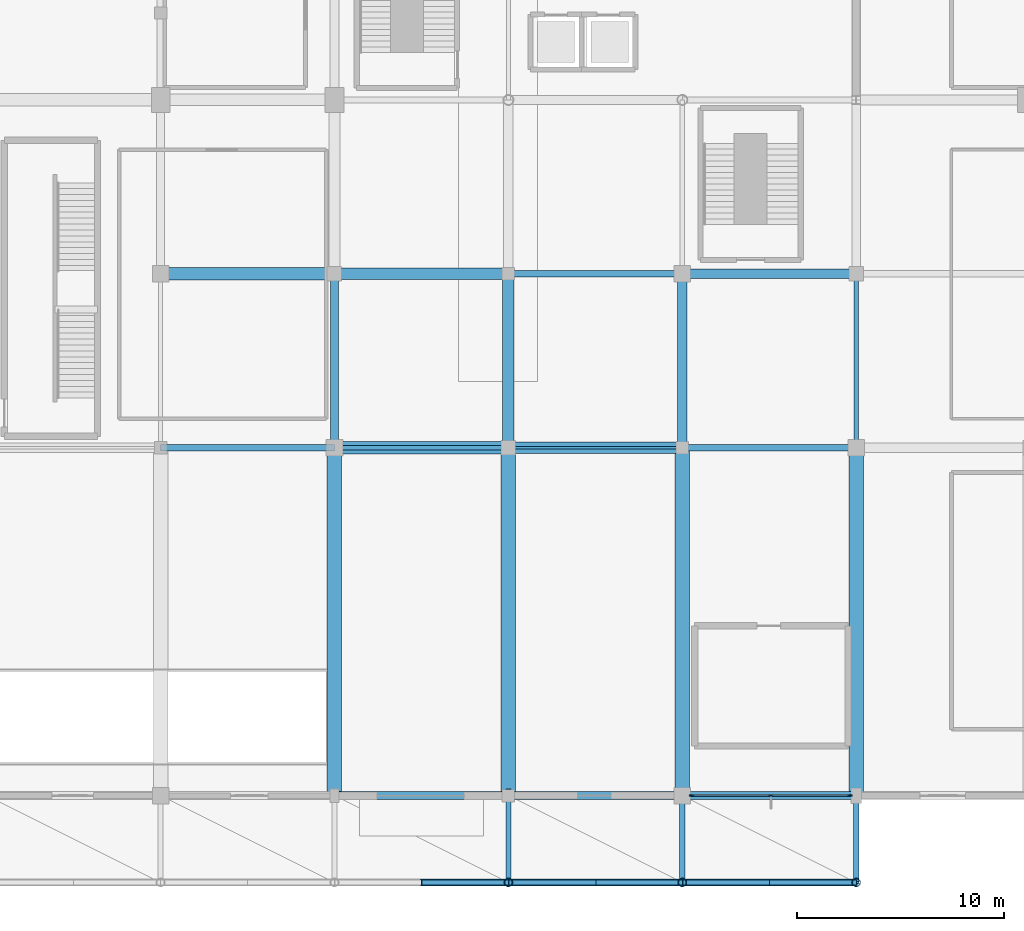
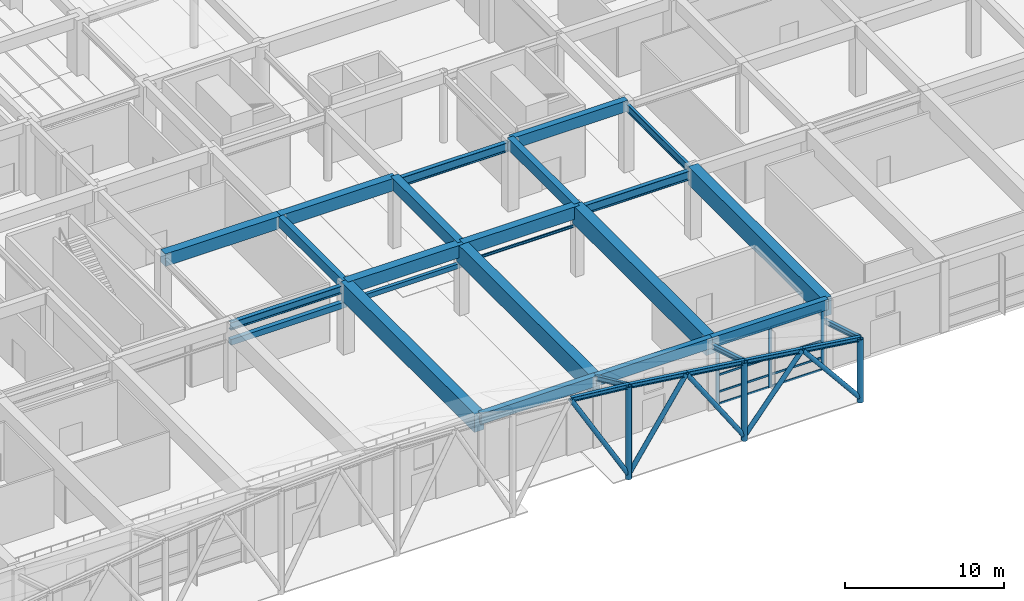
# One storey, part 16 of 62: 27 members, 22 beams, 1 element without a shape of its own.
"""IFC4 building model written with IfcOpenShell, lengths in metres."""

from ifc_helpers import new_model, si_unit, direction, frame, origin, origin_2d, place, context, subcontext, project, spatial, rectangle, hollow_circle, i_section, extrude, material, material_profile, profile_set, type_object, element, aggregate, save


model = new_model("IFC4")

# Units and contexts
model_context = context("Model", 3, precision=1e-05, world=origin(), true_north=direction((0.0, 1.0)))
body_context = subcontext(model_context, "Body", "Model", "MODEL_VIEW")
ifc_project = project(units=[si_unit("LENGTHUNIT", "METRE"), si_unit("AREAUNIT", "SQUARE_METRE"), si_unit("VOLUMEUNIT", "CUBIC_METRE"), si_unit("PLANEANGLEUNIT", "RADIAN"), si_unit("MASSUNIT", "GRAM", prefix="KILO")], contexts=[model_context])

# Site, building, storey
site_placement = place(None, origin())
site = spatial("IfcSite", under=ifc_project, at=site_placement, CompositionType="ELEMENT")
building_placement = place(site_placement, origin())
building = spatial("IfcBuilding", under=site, at=building_placement, Name="Xuanlan Plaza Opera House", CompositionType="ELEMENT")
storey_placement = place(building_placement, origin())
storey = spatial("IfcBuildingStorey", under=building, at=storey_placement, Name="L00", CompositionType="ELEMENT", Elevation=0.0)

# Curtain wall, members
ifc_material_1 = material(Name="Anodised Aluminium 6063-T6 and Low-E Glass", Category="aluminium")
curtain_wall_type = type_object("IfcCurtainWallType", Name="ENV-CW-CW-06", PredefinedType="USERDEFINED", material=ifc_material_1)
curtain_wall_placement = place(storey_placement, origin())
curtain_wall = element("IfcCurtainWall", 1, at=curtain_wall_placement, inside=storey, type_object=curtain_wall_type, Name="Acoustic Glazed Wall L00-013", ObjectType="ACOUSTIC GLAZED WALL", PredefinedType="USERDEFINED")
ifc_material_2 = material(Name="Anodised Aluminium 6063-T6", Category="aluminium")
ifc_material_profile_1 = material_profile(ifc_material_2, rectangle(XDim=0.090087890625, YDim=0.25, at=origin_2d()), Name="ALU-M 90x250")
ifc_profile_set_1 = profile_set([ifc_material_profile_1], Name="Anodised Aluminium 6063-T6")
member_type_1 = type_object("IfcMemberType", Name="ENV-CWM-05", PredefinedType="MULLION", material=ifc_profile_set_1)
member_1_placement = place(storey_placement, frame((118.06494140625, 0.0, 0.0), z_axis=(0.0, 0.0, 1.0), x_axis=(0.0, 1.0, 0.0)))
member_1 = element("IfcMember", 2, at=member_1_placement, type_object=member_type_1, Name="CW-06 mullion 1", PredefinedType="MULLION", context=body_context, shape_type="SweptSolid", body=[
    extrude(rectangle(XDim=0.090087890625, YDim=0.25, at=origin_2d()), origin(), (0.0, 0.0, 1.0), 4.580078125),
])
member_2_placement = place(storey_placement, frame((121.875, 0.0, 0.0), z_axis=(0.0, 0.0, 1.0), x_axis=(0.0, 1.0, 0.0)))
member_2 = element("IfcMember", 3, at=member_2_placement, type_object=member_type_1, Name="CW-06 mullion 2", PredefinedType="MULLION", context=body_context, shape_type="SweptSolid", body=[
    extrude(rectangle(XDim=0.090087890625, YDim=0.25, at=origin_2d()), origin(), (0.0, 0.0, 1.0), 4.580078125),
])
member_3_placement = place(storey_placement, frame((125.68505859375, 0.0, 0.0), z_axis=(0.0, 0.0, 1.0), x_axis=(0.0, 1.0, 0.0)))
member_3 = element("IfcMember", 4, at=member_3_placement, type_object=member_type_1, Name="CW-06 mullion 3", PredefinedType="MULLION", context=body_context, shape_type="SweptSolid", body=[
    extrude(rectangle(XDim=0.090087890625, YDim=0.25, at=origin_2d()), origin(), (0.0, 0.0, 1.0), 4.580078125),
])
ifc_material_profile_2 = material_profile(ifc_material_2, rectangle(XDim=0.074951171875, YDim=0.14990234375, at=origin_2d()), Name="ALU-T 75x150")
ifc_profile_set_2 = profile_set([ifc_material_profile_2], Name="Anodised Aluminium 6063-T6")
member_type_2 = type_object("IfcMemberType", Name="ENV-CWT-03", PredefinedType="USERDEFINED", material=ifc_profile_set_2)
member_4_placement = place(storey_placement, frame((118.110107421875, 0.0, 0.03759765625), z_axis=(1.0, 0.0, 0.0), x_axis=(0.0, 1.0, 0.0)))
member_4 = element("IfcMember", 5, at=member_4_placement, type_object=member_type_2, Name="CW-06 transom 1.1", ObjectType="TRANSOM", PredefinedType="USERDEFINED", context=body_context, shape_type="SweptSolid", body=[
    extrude(rectangle(XDim=0.074951171875, YDim=0.14990234375, at=origin_2d()), origin(), (0.0, 0.0, 1.0), 3.719970703125),
])
member_5_placement = place(storey_placement, frame((118.110107421875, 0.0, 0.949951171875), z_axis=(1.0, 0.0, 0.0), x_axis=(0.0, 1.0, 0.0)))
member_5 = element("IfcMember", 6, at=member_5_placement, type_object=member_type_2, Name="CW-06 transom 1.2", ObjectType="TRANSOM", PredefinedType="USERDEFINED", context=body_context, shape_type="SweptSolid", body=[
    extrude(rectangle(XDim=0.074951171875, YDim=0.14990234375, at=origin_2d()), origin(), (0.0, 0.0, 1.0), 3.719970703125),
])
member_6_placement = place(storey_placement, frame((118.110107421875, 0.0, 2.25), z_axis=(1.0, 0.0, 0.0), x_axis=(0.0, 1.0, 0.0)))
member_6 = element("IfcMember", 7, at=member_6_placement, type_object=member_type_2, Name="CW-06 transom 1.3", ObjectType="TRANSOM", PredefinedType="USERDEFINED", context=body_context, shape_type="SweptSolid", body=[
    extrude(rectangle(XDim=0.074951171875, YDim=0.14990234375, at=origin_2d()), origin(), (0.0, 0.0, 1.0), 3.719970703125),
])
member_7_placement = place(storey_placement, frame((118.110107421875, 0.0, 4.54248046875), z_axis=(1.0, 0.0, 0.0), x_axis=(0.0, 1.0, 0.0)))
member_7 = element("IfcMember", 8, at=member_7_placement, type_object=member_type_2, Name="CW-06 transom 1.4", ObjectType="TRANSOM", PredefinedType="USERDEFINED", context=body_context, shape_type="SweptSolid", body=[
    extrude(rectangle(XDim=0.074951171875, YDim=0.14990234375, at=origin_2d()), origin(), (0.0, 0.0, 1.0), 3.719970703125),
])
member_8_placement = place(storey_placement, frame((121.919921875, 0.0, 0.03759765625), z_axis=(1.0, 0.0, 0.0), x_axis=(0.0, 1.0, 0.0)))
member_8 = element("IfcMember", 9, at=member_8_placement, type_object=member_type_2, Name="CW-06 transom 2.1", ObjectType="TRANSOM", PredefinedType="USERDEFINED", context=body_context, shape_type="SweptSolid", body=[
    extrude(rectangle(XDim=0.074951171875, YDim=0.14990234375, at=origin_2d()), origin(), (0.0, 0.0, 1.0), 3.719970703125),
])
member_9_placement = place(storey_placement, frame((121.919921875, 0.0, 0.949951171875), z_axis=(1.0, 0.0, 0.0), x_axis=(0.0, 1.0, 0.0)))
member_9 = element("IfcMember", 10, at=member_9_placement, type_object=member_type_2, Name="CW-06 transom 2.2", ObjectType="TRANSOM", PredefinedType="USERDEFINED", context=body_context, shape_type="SweptSolid", body=[
    extrude(rectangle(XDim=0.074951171875, YDim=0.14990234375, at=origin_2d()), origin(), (0.0, 0.0, 1.0), 3.719970703125),
])
member_10_placement = place(storey_placement, frame((121.919921875, 0.0, 2.25), z_axis=(1.0, 0.0, 0.0), x_axis=(0.0, 1.0, 0.0)))
member_10 = element("IfcMember", 11, at=member_10_placement, type_object=member_type_2, Name="CW-06 transom 2.3", ObjectType="TRANSOM", PredefinedType="USERDEFINED", context=body_context, shape_type="SweptSolid", body=[
    extrude(rectangle(XDim=0.074951171875, YDim=0.14990234375, at=origin_2d()), origin(), (0.0, 0.0, 1.0), 3.719970703125),
])
member_11_placement = place(storey_placement, frame((121.919921875, 0.0, 4.54248046875), z_axis=(1.0, 0.0, 0.0), x_axis=(0.0, 1.0, 0.0)))
member_11 = element("IfcMember", 12, at=member_11_placement, type_object=member_type_2, Name="CW-06 transom 2.4", ObjectType="TRANSOM", PredefinedType="USERDEFINED", context=body_context, shape_type="SweptSolid", body=[
    extrude(rectangle(XDim=0.074951171875, YDim=0.14990234375, at=origin_2d()), origin(), (0.0, 0.0, 1.0), 3.719970703125),
])
aggregate(curtain_wall, [member_1, member_2, member_3, member_4, member_5, member_6, member_7, member_8, member_9, member_10, member_11])

# Beams
ifc_material_3 = material(Name="Concrete C50", Category="concrete")
ifc_material_profile_3 = material_profile(ifc_material_3, rectangle(XDim=0.60009765625, YDim=0.949951171875, at=origin_2d()), Name="RC-BM 600x950")
ifc_profile_set_3 = profile_set([ifc_material_profile_3], Name="Concrete C50")
beam_type_1 = type_object("IfcBeamType", Name="STR-BM-B-01", PredefinedType="BEAM", material=ifc_profile_set_3)
beam_1_placement = place(storey_placement, frame((100.800048828125, 16.800048828125, 4.925048828125), z_axis=(1.0, 0.0, 0.0), x_axis=(0.0, 1.0, 0.0)))
element("IfcBeam", 13, at=beam_1_placement, inside=storey, type_object=beam_type_1, Name="Grid Beam X L00 13-14/C", PredefinedType="BEAM", context=body_context, shape_type="SweptSolid", body=[
    extrude(rectangle(XDim=0.60009765625, YDim=0.949951171875, at=origin_2d()), origin(), (0.0, 0.0, 1.0), 8.39990234375),
])
beam_2_placement = place(storey_placement, frame((92.39990234375, 25.199951171875, 4.925048828125), z_axis=(1.0, 0.0, 0.0), x_axis=(0.0, 1.0, 0.0)))
element("IfcBeam", 14, at=beam_2_placement, inside=storey, type_object=beam_type_1, Name="Grid Beam X L00 12-13/D", PredefinedType="BEAM", context=body_context, shape_type="SweptSolid", body=[
    extrude(rectangle(XDim=0.60009765625, YDim=0.949951171875, at=origin_2d()), origin(), (0.0, 0.0, 1.0), 8.400146484375),
])
ifc_material_profile_4 = material_profile(ifc_material_3, rectangle(XDim=0.550048828125, YDim=0.949951171875, at=origin_2d()), Name="RC-BM 550x950")
ifc_profile_set_4 = profile_set([ifc_material_profile_4], Name="Concrete C50")
beam_type_2 = type_object("IfcBeamType", Name="STR-BM-B-02", PredefinedType="BEAM", material=ifc_profile_set_4)
beam_3_placement = place(storey_placement, frame((109.199951171875, 16.800048828125, 4.925048828125), z_axis=(1.0, 0.0, 0.0), x_axis=(0.0, 1.0, 0.0)))
element("IfcBeam", 15, at=beam_3_placement, inside=storey, type_object=beam_type_2, Name="Grid Beam X L00 14-15/C", PredefinedType="BEAM", context=body_context, shape_type="SweptSolid", body=[
    extrude(rectangle(XDim=0.550048828125, YDim=0.949951171875, at=origin_2d()), origin(), (0.0, 0.0, 1.0), 8.400146484375),
])
for number, where, z_axis, x_axis, name in (
    (16, (100.800048828125, 25.199951171875, 4.925048828125), (1.0, 0.0, 0.0), (0.0, 1.0, 0.0), "Grid Beam X L00 13-14/D"),
    (17, (109.199951171875, 16.800048828125, 4.925048828125), (0.0, 1.0, 0.0), (-1.0, 0.0, 0.0), "Grid Beam Y L00 14/C-D"),
):
    element("IfcBeam", number, at=place(storey_placement, frame(where, z_axis=z_axis, x_axis=x_axis)), inside=storey, type_object=beam_type_2, Name=name, PredefinedType="BEAM", context=body_context, shape_type="SweptSolid", body=[
        extrude(rectangle(XDim=0.550048828125, YDim=0.949951171875, at=origin_2d()), origin(), (0.0, 0.0, 1.0), 8.39990234375),
    ])
ifc_material_4 = material(Name="Concrete C40", Category="concrete")
ifc_material_profile_5 = material_profile(ifc_material_4, rectangle(XDim=0.449951171875, YDim=0.85009765625, at=origin_2d()), Name="RC-BM 450x850")
ifc_profile_set_5 = profile_set([ifc_material_profile_5], Name="Concrete C40")
beam_type_3 = type_object("IfcBeamType", Name="STR-BM-B-04", PredefinedType="BEAM", material=ifc_profile_set_5)
for number, where, z_axis, x_axis, name in (
    (18, (117.60009765625, 25.199951171875, 4.97509765625), (1.0, 0.0, 0.0), (0.0, 1.0, 0.0), "Grid Beam X L00 15-16/D"),
    (19, (117.60009765625, 16.800048828125, 4.97509765625), (0.0, 1.0, 0.0), (-1.0, 0.0, 0.0), "Grid Beam Y L00 15/C-D"),
):
    element("IfcBeam", number, at=place(storey_placement, frame(where, z_axis=z_axis, x_axis=x_axis)), inside=storey, type_object=beam_type_3, Name=name, PredefinedType="BEAM", context=body_context, shape_type="SweptSolid", body=[
        extrude(rectangle(XDim=0.449951171875, YDim=0.85009765625, at=origin_2d()), origin(), (0.0, 0.0, 1.0), 8.39990234375),
    ])
ifc_material_profile_6 = material_profile(ifc_material_4, rectangle(XDim=0.39990234375, YDim=0.75, at=origin_2d()), Name="RC-BM 400x750")
ifc_profile_set_6 = profile_set([ifc_material_profile_6], Name="Concrete C40")
beam_type_4 = type_object("IfcBeamType", Name="STR-BM-B-06", PredefinedType="BEAM", material=ifc_profile_set_6)
beam_4_placement = place(storey_placement, frame((100.800048828125, 16.800048828125, 5.02490234375), z_axis=(0.0, 1.0, 0.0), x_axis=(-1.0, 0.0, 0.0)))
element("IfcBeam", 20, at=beam_4_placement, inside=storey, type_object=beam_type_4, Name="Grid Beam Y L00 13/C-D", PredefinedType="BEAM", context=body_context, shape_type="SweptSolid", body=[
    extrude(rectangle(XDim=0.39990234375, YDim=0.75, at=origin_2d()), origin(), (0.0, 0.0, 1.0), 8.39990234375),
])
ifc_material_profile_7 = material_profile(ifc_material_3, rectangle(XDim=0.699951171875, YDim=1.39990234375, at=origin_2d()), Name="RC-LG 700x1400")
ifc_profile_set_7 = profile_set([ifc_material_profile_7], Name="Concrete C50")
beam_type_5 = type_object("IfcBeamType", Name="STR-BM-LG-01", PredefinedType="BEAM", material=ifc_profile_set_7)
for number, where, z_axis, x_axis, name in (
    (21, (100.800048828125, 0.0, 4.699951171875), (0.0, 1.0, 0.0), (-1.0, 0.0, 0.0), "Grid Beam Y L00 13/A-C"),
    (22, (109.199951171875, 0.0, 4.699951171875), (0.0, 1.0, 0.0), (-1.0, 0.0, 0.0), "Grid Beam Y L00 14/A-C"),
    (23, (117.60009765625, 0.0, 4.699951171875), (0.0, 1.0, 0.0), (-1.0, 0.0, 0.0), "Grid Beam Y L00 15/A-C"),
    (24, (126.0, 0.0, 4.699951171875), (0.0, 1.0, 0.0), (-1.0, 0.0, 0.0), "Grid Beam Y L00 16/A-C"),
):
    element("IfcBeam", number, at=place(storey_placement, frame(where, z_axis=z_axis, x_axis=x_axis)), inside=storey, type_object=beam_type_5, Name=name, PredefinedType="BEAM", context=body_context, shape_type="SweptSolid", body=[
        extrude(rectangle(XDim=0.699951171875, YDim=1.39990234375, at=origin_2d()), origin(), (0.0, 0.0, 1.0), 16.800048828125),
    ])
ifc_material_profile_8 = material_profile(ifc_material_4, rectangle(XDim=0.239990234375, YDim=0.35009765625, at=origin_2d()), Name="RC-LNT 240x350")
ifc_profile_set_8 = profile_set([ifc_material_profile_8], Name="Concrete C40")
beam_type_6 = type_object("IfcBeamType", Name="STR-BM-LN-02", PredefinedType="LINTEL", material=ifc_profile_set_8)
beam_5_placement = place(storey_placement, frame((100.800048828125, 16.800048828125, 3.675048828125), z_axis=(1.0, 0.0, 0.0), x_axis=(0.0, 1.0, 0.0)))
element("IfcBeam", 25, at=beam_5_placement, inside=storey, type_object=beam_type_6, Name="Backstage Portal Lintel Beam L00-12", PredefinedType="LINTEL", context=body_context, shape_type="SweptSolid", body=[
    extrude(rectangle(XDim=0.239990234375, YDim=0.35009765625, at=origin_2d()), origin(), (0.0, 0.0, 1.0), 8.39990234375),
])
ifc_material_5 = material(Name="Steel Q355B", Category="steel")
ifc_material_profile_9 = material_profile(ifc_material_5, i_section(OverallWidth=0.10009765625, OverallDepth=0.199951171875, WebThickness=0.005615234375, FlangeThickness=0.008056640625, FilletRadius=0.010986328125, at=origin_2d()), Name="HN 200x100x5.5x8")
ifc_profile_set_9 = profile_set([ifc_material_profile_9], Name="Steel Q355B")
beam_type_7 = type_object("IfcBeamType", Name="STR-BM-LN-03", PredefinedType="LINTEL", material=ifc_profile_set_9)
beam_6_placement = place(storey_placement, frame((109.199951171875, 16.800048828125, 3.75), z_axis=(1.0, 0.0, 0.0), x_axis=(0.0, 1.0, 0.0)))
element("IfcBeam", 26, at=beam_6_placement, inside=storey, type_object=beam_type_7, Name="Backstage Portal Lintel Beam L00-13", PredefinedType="LINTEL", context=body_context, shape_type="SweptSolid", body=[
    extrude(i_section(OverallWidth=0.10009765625, OverallDepth=0.199951171875, WebThickness=0.005615234375, FlangeThickness=0.008056640625, FilletRadius=0.010986328125, at=origin_2d()), origin(), (0.0, 0.0, 1.0), 8.400146484375),
])
ifc_material_profile_10 = material_profile(ifc_material_4, rectangle(XDim=0.320068359375, YDim=0.43994140625, at=origin_2d()), Name="RC-LNT 320x440")
ifc_profile_set_10 = profile_set([ifc_material_profile_10], Name="Concrete C40")
beam_type_8 = type_object("IfcBeamType", Name="STR-BM-LN-05", PredefinedType="LINTEL", material=ifc_profile_set_10)
beam_7_placement = place(storey_placement, frame((92.39990234375, 16.800048828125, 3.6298828125), z_axis=(1.0, 0.0, 0.0), x_axis=(0.0, 1.0, 0.0)))
element("IfcBeam", 27, at=beam_7_placement, inside=storey, type_object=beam_type_8, Name="Backstage Portal Lintel Beam L00-11", PredefinedType="LINTEL", context=body_context, shape_type="SweptSolid", body=[
    extrude(rectangle(XDim=0.320068359375, YDim=0.43994140625, at=origin_2d()), origin(), (0.0, 0.0, 1.0), 8.400146484375),
])
ifc_material_profile_11 = material_profile(ifc_material_5, i_section(OverallWidth=0.300048828125, OverallDepth=0.699951171875, WebThickness=0.012939453125, FlangeThickness=0.02392578125, FilletRadius=0.02392578125, at=origin_2d()), Name="HN 700x300x13x24")
ifc_profile_set_11 = profile_set([ifc_material_profile_11], Name="Steel Q355B")
beam_type_9 = type_object("IfcBeamType", Name="STR-BM-SB-03", PredefinedType="BEAM", material=ifc_profile_set_11)
beam_8_placement = place(storey_placement, frame((117.60009765625, 16.800048828125, 4.784912109375), z_axis=(1.0, 0.0, 0.0), x_axis=(0.0, 1.0, 0.0)))
element("IfcBeam", 28, at=beam_8_placement, inside=storey, type_object=beam_type_9, Name="Grid Beam X L00 15-16/C", PredefinedType="BEAM", context=body_context, shape_type="SweptSolid", body=[
    extrude(i_section(OverallWidth=0.300048828125, OverallDepth=0.699951171875, WebThickness=0.012939453125, FlangeThickness=0.02392578125, FilletRadius=0.02392578125, at=origin_2d()), origin(), (0.0, 0.0, 1.0), 8.39990234375),
])
beam_9_placement = place(storey_placement, frame((109.199951171875, 25.199951171875, 4.784912109375), z_axis=(1.0, 0.0, 0.0), x_axis=(0.0, 1.0, 0.0)))
element("IfcBeam", 29, at=beam_9_placement, inside=storey, type_object=beam_type_9, Name="Grid Beam X L00 14-15/D", PredefinedType="BEAM", context=body_context, shape_type="SweptSolid", body=[
    extrude(i_section(OverallWidth=0.300048828125, OverallDepth=0.699951171875, WebThickness=0.012939453125, FlangeThickness=0.02392578125, FilletRadius=0.02392578125, at=origin_2d()), origin(), (0.0, 0.0, 1.0), 8.400146484375),
])
ifc_material_profile_12 = material_profile(ifc_material_5, i_section(OverallWidth=0.199951171875, OverallDepth=0.60009765625, WebThickness=0.010986328125, FlangeThickness=0.01708984375, FilletRadius=0.02197265625, at=origin_2d()), Name="HN 600x200x11x17")
ifc_profile_set_12 = profile_set([ifc_material_profile_12], Name="Steel Q355B")
beam_type_10 = type_object("IfcBeamType", Name="STR-BM-SB-04", PredefinedType="BEAM", material=ifc_profile_set_12)
beam_10_placement = place(storey_placement, frame((126.0, 16.800048828125, 4.8349609375), z_axis=(0.0, 1.0, 0.0), x_axis=(-1.0, 0.0, 0.0)))
element("IfcBeam", 30, at=beam_10_placement, inside=storey, type_object=beam_type_10, Name="Grid Beam Y L00 16/C-D", PredefinedType="BEAM", context=body_context, shape_type="SweptSolid", body=[
    extrude(i_section(OverallWidth=0.199951171875, OverallDepth=0.60009765625, WebThickness=0.010986328125, FlangeThickness=0.01708984375, FilletRadius=0.02197265625, at=origin_2d()), origin(), (0.0, 0.0, 1.0), 8.39990234375),
])
ifc_material_profile_13 = material_profile(ifc_material_5, i_section(OverallWidth=0.300048828125, OverallDepth=0.587890625, WebThickness=0.011962890625, FlangeThickness=0.02001953125, FilletRadius=0.02392578125, at=origin_2d()), Name="HM 588x300x12x20")
ifc_profile_set_13 = profile_set([ifc_material_profile_13], Name="Steel Q355B")
beam_type_11 = type_object("IfcBeamType", Name="STR-BM-SB-06", PredefinedType="BEAM", material=ifc_profile_set_13)
beam_11_placement = place(storey_placement, frame((92.39990234375, 16.800048828125, 4.841064453125), z_axis=(1.0, 0.0, 0.0), x_axis=(0.0, 1.0, 0.0)))
element("IfcBeam", 31, at=beam_11_placement, inside=storey, type_object=beam_type_11, Name="Grid Beam X L00 12-13/C", PredefinedType="BEAM", context=body_context, shape_type="SweptSolid", body=[
    extrude(i_section(OverallWidth=0.300048828125, OverallDepth=0.587890625, WebThickness=0.011962890625, FlangeThickness=0.02001953125, FilletRadius=0.02392578125, at=origin_2d()), origin(), (0.0, 0.0, 1.0), 8.400146484375),
])
ifc_material_profile_14 = material_profile(ifc_material_4, rectangle(XDim=0.39990234375, YDim=0.800048828125, at=origin_2d()), Name="RC-SPD 400x800")
ifc_profile_set_14 = profile_set([ifc_material_profile_14], Name="Concrete C40")
beam_type_12 = type_object("IfcBeamType", Name="STR-BM-SP-01", PredefinedType="SPANDREL", material=ifc_profile_set_14)
beam_12_placement = place(storey_placement, frame((100.800048828125, 0.0, 5.0), z_axis=(1.0, 0.0, 0.0), x_axis=(0.0, 1.0, 0.0)))
element("IfcBeam", 32, at=beam_12_placement, inside=storey, type_object=beam_type_12, Name="Grid Beam X L00 13-14/A", PredefinedType="SPANDREL", context=body_context, shape_type="SweptSolid", body=[
    extrude(rectangle(XDim=0.39990234375, YDim=0.800048828125, at=origin_2d()), origin(), (0.0, 0.0, 1.0), 8.39990234375),
])
beam_13_placement = place(storey_placement, frame((109.199951171875, 0.0, 5.0), z_axis=(1.0, 0.0, 0.0), x_axis=(0.0, 1.0, 0.0)))
element("IfcBeam", 33, at=beam_13_placement, inside=storey, type_object=beam_type_12, Name="Grid Beam X L00 14-15/A", PredefinedType="SPANDREL", context=body_context, shape_type="SweptSolid", body=[
    extrude(rectangle(XDim=0.39990234375, YDim=0.800048828125, at=origin_2d()), origin(), (0.0, 0.0, 1.0), 8.400146484375),
])
beam_14_placement = place(storey_placement, frame((117.60009765625, 0.0, 5.0), z_axis=(1.0, 0.0, 0.0), x_axis=(0.0, 1.0, 0.0)))
element("IfcBeam", 34, at=beam_14_placement, inside=storey, type_object=beam_type_12, Name="Grid Beam X L00 15-16/A", PredefinedType="SPANDREL", context=body_context, shape_type="SweptSolid", body=[
    extrude(rectangle(XDim=0.39990234375, YDim=0.800048828125, at=origin_2d()), origin(), (0.0, 0.0, 1.0), 8.39990234375),
])

# Members
ifc_material_6 = material(Name="Steel Q390B", Category="steel")
ifc_material_profile_15 = material_profile(ifc_material_6, hollow_circle(Radius=0.203125, WallThickness=0.01611328125, at=origin_2d()), Name="CHS 406.4x16")
ifc_profile_set_15 = profile_set([ifc_material_profile_15], Name="Steel Q390B")
member_type_3 = type_object("IfcMemberType", Name="STR-MEM-BR-01", PredefinedType="BRACE", material=ifc_profile_set_15)
member_12_placement = place(storey_placement, frame((109.199951171875, -4.199951171875, 0.001953125), z_axis=(0.0, 0.0, 1.0), x_axis=(1.0, 0.0, 0.0)))
element("IfcMember", 35, at=member_12_placement, inside=storey, type_object=member_type_3, Name="Plaza Canopy Grounded Steel Pier 14", PredefinedType="BRACE", context=body_context, shape_type="SweptSolid", body=[
    extrude(hollow_circle(Radius=0.203125, WallThickness=0.01611328125, at=origin_2d()), origin(), (0.0, 0.0, 1.0), 7.088134765625),
])
member_13_placement = place(storey_placement, frame((117.60009765625, -4.199951171875, 0.001953125), z_axis=(0.0, 0.0, 1.0), x_axis=(1.0, 0.0, 0.0)))
element("IfcMember", 36, at=member_13_placement, inside=storey, type_object=member_type_3, Name="Plaza Canopy Grounded Steel Pier 15", PredefinedType="BRACE", context=body_context, shape_type="SweptSolid", body=[
    extrude(hollow_circle(Radius=0.203125, WallThickness=0.01611328125, at=origin_2d()), origin(), (0.0, 0.0, 1.0), 5.988037109375),
])
member_14_placement = place(storey_placement, frame((126.0, -4.199951171875, 0.001953125), z_axis=(0.0, 0.0, 1.0), x_axis=(1.0, 0.0, 0.0)))
element("IfcMember", 37, at=member_14_placement, inside=storey, type_object=member_type_3, Name="Plaza Canopy Grounded Steel Pier 16", PredefinedType="BRACE", context=body_context, shape_type="SweptSolid", body=[
    extrude(hollow_circle(Radius=0.203125, WallThickness=0.01611328125, at=origin_2d()), origin(), (0.0, 0.0, 1.0), 4.838134765625),
])
ifc_material_profile_16 = material_profile(ifc_material_5, hollow_circle(Radius=0.161865234375, WallThickness=0.013916015625, at=origin_2d()), Name="CHS 323.9x14")
ifc_profile_set_16 = profile_set([ifc_material_profile_16], Name="Steel Q355B")
member_type_4 = type_object("IfcMemberType", Name="STR-MEM-BR-03", PredefinedType="BRACE", material=ifc_profile_set_16)
member_15_placement = place(storey_placement, frame((109.199951171875, -4.199951171875, 0.280029296875), z_axis=(-0.502051733206, 0.0, 0.864837590062), x_axis=(0.0, -1.0, 0.0)))
element("IfcMember", 38, at=member_15_placement, inside=storey, type_object=member_type_4, Name="Plaza Canopy V-Strut 06R", PredefinedType="BRACE", context=body_context, shape_type="SweptSolid", body=[
    extrude(hollow_circle(Radius=0.161865234375, WallThickness=0.013916015625, at=origin_2d()), origin(), (0.0, 0.0, 1.0), 8.365478515625),
])
member_16_placement = place(storey_placement, frame((109.199951171875, -4.199951171875, 0.280029296875), z_axis=(0.557141724361, 0.0, 0.830417424538), x_axis=(0.0, 1.0, 0.0)))
element("IfcMember", 39, at=member_16_placement, inside=storey, type_object=member_type_4, Name="Plaza Canopy V-Strut 07L", PredefinedType="BRACE", context=body_context, shape_type="SweptSolid", body=[
    extrude(hollow_circle(Radius=0.161865234375, WallThickness=0.013916015625, at=origin_2d()), origin(), (0.0, 0.0, 1.0), 7.538330078125),
])
member_17_placement = place(storey_placement, frame((117.60009765625, -4.199951171875, 0.280029296875), z_axis=(-0.557164057133, 0.0, 0.830402440651), x_axis=(0.0, -1.0, 0.0)))
element("IfcMember", 40, at=member_17_placement, inside=storey, type_object=member_type_4, Name="Plaza Canopy V-Strut 07R", PredefinedType="BRACE", context=body_context, shape_type="SweptSolid", body=[
    extrude(hollow_circle(Radius=0.161865234375, WallThickness=0.013916015625, at=origin_2d()), origin(), (0.0, 0.0, 1.0), 7.53857421875),
])
for number, where, z_axis, x_axis, name in (
    (41, (117.60009765625, -4.199951171875, 0.280029296875), (0.633109520171, 0.0, 0.774062229713), (0.0, 1.0, 0.0), "Plaza Canopy V-Strut 08L"),
    (42, (126.0, -4.199951171875, 0.280029296875), (-0.633109520171, 0.0, 0.774062229713), (0.0, -1.0, 0.0), "Plaza Canopy V-Strut 08R"),
):
    element("IfcMember", number, at=place(storey_placement, frame(where, z_axis=z_axis, x_axis=x_axis)), inside=storey, type_object=member_type_4, Name=name, PredefinedType="BRACE", context=body_context, shape_type="SweptSolid", body=[
        extrude(hollow_circle(Radius=0.161865234375, WallThickness=0.013916015625, at=origin_2d()), origin(), (0.0, 0.0, 1.0), 6.6337890625),
    ])
ifc_material_profile_17 = material_profile(ifc_material_5, i_section(OverallWidth=0.25, OverallDepth=0.340087890625, WebThickness=0.009033203125, FlangeThickness=0.013916015625, FilletRadius=0.01611328125, at=origin_2d()), Name="HM 340x250x9x14")
ifc_profile_set_17 = profile_set([ifc_material_profile_17], Name="Steel Q355B")
member_type_5 = type_object("IfcMemberType", Name="STR-MEM-TC-01", PredefinedType="CHORD", material=ifc_profile_set_17)
member_18_placement = place(storey_placement, frame((109.199951171875, 0.25, 5.050048828125), z_axis=(0.0, -0.909027826294, 0.416735420888), x_axis=(1.0, 0.0, 0.0)))
element("IfcMember", 43, at=member_18_placement, inside=storey, type_object=member_type_5, Name="Plaza Canopy Transverse Arch Rib 14", PredefinedType="CHORD", context=body_context, shape_type="SweptSolid", body=[
    extrude(i_section(OverallWidth=0.25, OverallDepth=0.340087890625, WebThickness=0.009033203125, FlangeThickness=0.013916015625, FilletRadius=0.01611328125, at=origin_2d()), origin(), (0.0, 0.0, 1.0), 4.895263671875),
])
for number, where, z_axis, x_axis, name in (
    (44, (117.60009765625, 0.25, 4.639892578125), (0.0, -0.956927209305, 0.290327945765), (1.0, 0.0, 0.0), "Plaza Canopy Transverse Arch Rib 15"),
    (45, (126.0, 0.25, 3.489990234375), (0.0, -0.956927209305, 0.290327945765), (1.0, 0.0, 0.0), "Plaza Canopy Transverse Arch Rib 16"),
):
    element("IfcMember", number, at=place(storey_placement, frame(where, z_axis=z_axis, x_axis=x_axis)), inside=storey, type_object=member_type_5, Name=name, PredefinedType="CHORD", context=body_context, shape_type="SweptSolid", body=[
        extrude(i_section(OverallWidth=0.25, OverallDepth=0.340087890625, WebThickness=0.009033203125, FlangeThickness=0.013916015625, FilletRadius=0.01611328125, at=origin_2d()), origin(), (0.0, 0.0, 1.0), 4.650146484375),
    ])
member_19_placement = place(storey_placement, frame((105.0, -4.199951171875, 7.514892578125), z_axis=(0.994923745234, 0.0, -0.100631710557), x_axis=(0.0, 1.0, 0.0)))
element("IfcMember", 46, at=member_19_placement, inside=storey, type_object=member_type_5, Name="Plaza Canopy Arched Prow Chord 06B", PredefinedType="CHORD", context=body_context, shape_type="SweptSolid", body=[
    extrude(i_section(OverallWidth=0.25, OverallDepth=0.340087890625, WebThickness=0.009033203125, FlangeThickness=0.013916015625, FilletRadius=0.01611328125, at=origin_2d()), origin(), (0.0, 0.0, 1.0), 4.221435546875),
])
member_20_placement = place(storey_placement, frame((109.199951171875, -4.199951171875, 7.090087890625), z_axis=(0.991532782798, 0.0, -0.129856615686), x_axis=(0.0, 1.0, 0.0)))
element("IfcMember", 47, at=member_20_placement, inside=storey, type_object=member_type_5, Name="Plaza Canopy Arched Prow Chord 07A", PredefinedType="CHORD", context=body_context, shape_type="SweptSolid", body=[
    extrude(i_section(OverallWidth=0.25, OverallDepth=0.340087890625, WebThickness=0.009033203125, FlangeThickness=0.013916015625, FilletRadius=0.01611328125, at=origin_2d()), origin(), (0.0, 0.0, 1.0), 4.23583984375),
])
member_21_placement = place(storey_placement, frame((113.39990234375, -4.199951171875, 6.5400390625), z_axis=(0.991533754636, 0.0, -0.129849194908), x_axis=(0.0, 1.0, 0.0)))
element("IfcMember", 48, at=member_21_placement, inside=storey, type_object=member_type_5, Name="Plaza Canopy Arched Prow Chord 07B", PredefinedType="CHORD", context=body_context, shape_type="SweptSolid", body=[
    extrude(i_section(OverallWidth=0.25, OverallDepth=0.340087890625, WebThickness=0.009033203125, FlangeThickness=0.013916015625, FilletRadius=0.01611328125, at=origin_2d()), origin(), (0.0, 0.0, 1.0), 4.236083984375),
])
for number, where, z_axis, x_axis, name in (
    (49, (117.60009765625, -4.199951171875, 5.989990234375), (0.990759590927, 0.0, -0.13562976438), (0.0, 1.0, 0.0), "Plaza Canopy Arched Prow Chord 08A"),
    (50, (121.800048828125, -4.199951171875, 5.4150390625), (0.990759590927, 0.0, -0.13562976438), (0.0, 1.0, 0.0), "Plaza Canopy Arched Prow Chord 08B"),
):
    element("IfcMember", number, at=place(storey_placement, frame(where, z_axis=z_axis, x_axis=x_axis)), inside=storey, type_object=member_type_5, Name=name, PredefinedType="CHORD", context=body_context, shape_type="SweptSolid", body=[
        extrude(i_section(OverallWidth=0.25, OverallDepth=0.340087890625, WebThickness=0.009033203125, FlangeThickness=0.013916015625, FilletRadius=0.01611328125, at=origin_2d()), origin(), (0.0, 0.0, 1.0), 4.239013671875),
    ])

save(model, "model.ifc")
